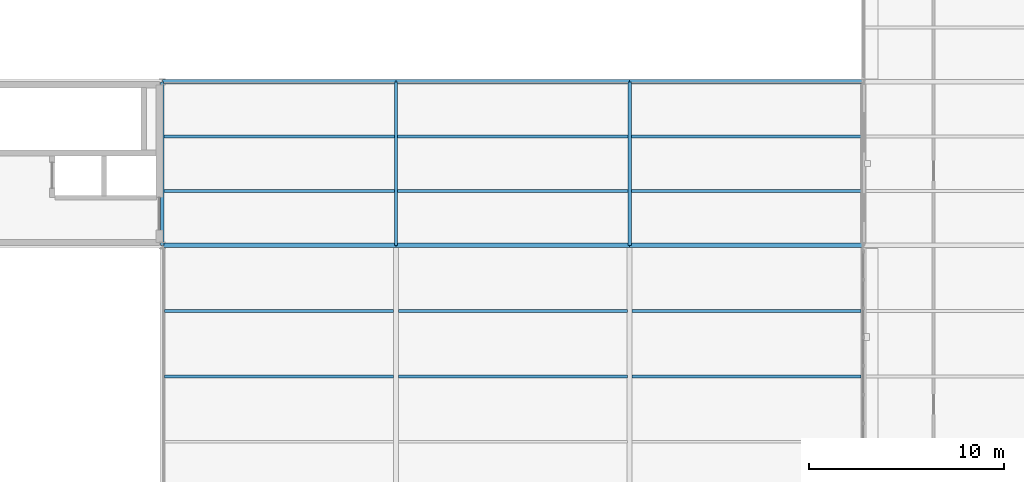
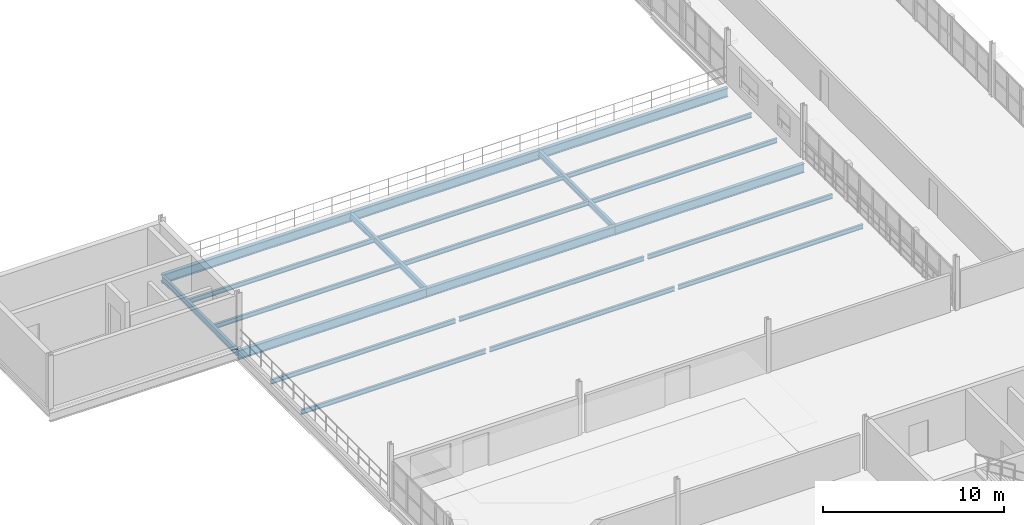
# One storey, part 40 of 74: 21 beams.
"""IFC4 building model written with IfcOpenShell, lengths in metres."""

import ifcopenshell
import ifcopenshell.guid

model = None  # the IFC model being written
_history = None  # IfcOwnerHistory: only IFC2X3 demands one
_inside = {}  # id of a spatial element -> (the spatial element, [elements in it])
_under = {}  # id of a project, library or spatial element -> (it, [spatial elements below it])
_declared = {}  # id of a project -> (the project, [libraries it declares])
_typed = {}  # id of a type object -> (the type object, [elements of that type])
_made_of = {}  # id of a material, layer set ... -> (it, [elements and type objects made of it])


def new_model(schema):
    """Start an empty IFC model of exactly this schema.

    Asked for "IFC4X3", IfcOpenShell would pick the latest addendum, in which some entities
    have other attributes; the version numbers below select the first issue.
    IFC2X3 requires an IfcOwnerHistory on every rooted entity: one is made here for all.
    """
    global model, _history
    if schema == "IFC4X3":
        model = ifcopenshell.file(schema_version=(4, 3, 0, 0))
    else:
        model = ifcopenshell.file(schema=schema)
    _inside.clear()
    _under.clear()
    _declared.clear()
    _typed.clear()
    _made_of.clear()
    _history = None
    if model.schema == "IFC2X3":
        org = make("IfcOrganization", Name="unknown")
        user = make(
            "IfcPersonAndOrganization",
            ThePerson=make("IfcPerson", FamilyName="unknown"),
            TheOrganization=org,
        )
        app = make(
            "IfcApplication",
            ApplicationDeveloper=org,
            Version="unknown",
            ApplicationFullName="unknown",
            ApplicationIdentifier="unknown",
        )
        _history = make(
            "IfcOwnerHistory",
            OwningUser=user,
            OwningApplication=app,
            ChangeAction="ADDED",
            CreationDate=0,
        )
    return model


def make(cls, **values):
    """One entity of the class cls with the attributes given. An attribute that is None is left unset."""
    return model.create_entity(
        cls, **{name: value for name, value in values.items() if value is not None}
    )


def rooted(cls, **values):
    """An entity with a GlobalId (a new one), such as an element, a storey or a relation."""
    return make(cls, GlobalId=ifcopenshell.guid.new(), OwnerHistory=_history, **values)


def si_unit(unit_type, name, prefix=None):
    """IfcSIUnit, for example si_unit("LENGTHUNIT", "METRE", prefix="MILLI")."""
    return make("IfcSIUnit", UnitType=unit_type, Prefix=prefix, Name=name)


def assignment(units):
    """IfcUnitAssignment: the units of a project."""
    return None if units is None else make("IfcUnitAssignment", Units=units)


def point(xyz):
    """IfcCartesianPoint."""
    return None if xyz is None else make("IfcCartesianPoint", Coordinates=xyz)


def direction(xyz):
    """IfcDirection."""
    return None if xyz is None else make("IfcDirection", DirectionRatios=xyz)


def frame(location, z_axis=None, x_axis=None):
    """IfcAxis2Placement3D, a coordinate frame: its origin and axes. An axis left out is left unset."""
    return make(
        "IfcAxis2Placement3D",
        Location=point(location),
        Axis=direction(z_axis),
        RefDirection=direction(x_axis),
    )


def frame_2d(location, x_axis=None):
    """IfcAxis2Placement2D, a coordinate frame in the plane: its origin and x axis."""
    return make(
        "IfcAxis2Placement2D", Location=point(location), RefDirection=direction(x_axis)
    )


def origin():
    """The frame at (0, 0, 0) with its axes left unset."""
    return frame((0.0, 0.0, 0.0))


def origin_2d():
    """The frame at (0, 0) in the plane with its x axis left unset."""
    return frame_2d((0.0, 0.0))


def place(relative_to, where):
    """IfcLocalPlacement: puts the frame where relative to a parent placement (None: the world)."""
    return make(
        "IfcLocalPlacement", PlacementRelTo=relative_to, RelativePlacement=where
    )


def context(
    kind, dimensions, precision=None, world=None, true_north=None, identifier=None
):
    """IfcGeometricRepresentationContext, for example the 3D "Model" context."""
    return make(
        "IfcGeometricRepresentationContext",
        ContextIdentifier=identifier,
        ContextType=kind,
        CoordinateSpaceDimension=dimensions,
        Precision=precision,
        WorldCoordinateSystem=world,
        TrueNorth=true_north,
    )


def subcontext(parent, identifier, kind, view, scale=None):
    """IfcGeometricRepresentationSubContext, for example "Body" below "Model"."""
    return make(
        "IfcGeometricRepresentationSubContext",
        ContextIdentifier=identifier,
        ContextType=kind,
        ParentContext=parent,
        TargetScale=scale,
        TargetView=view,
    )


def project(units=None, contexts=None):
    """IfcProject with its units and contexts."""
    return rooted(
        "IfcProject",
        Name="project",
        RepresentationContexts=contexts,
        UnitsInContext=assignment(units),
    )


def spatial(cls, under=None, at=None, **own):
    """A site, building, storey or space (cls), placed at a placement, below another one or the project."""
    s = rooted(cls, ObjectPlacement=at, **own)
    if under is not None:
        _under.setdefault(under.id(), (under, []))[1].append(s)
    return s


def profile(cls, at=None, kind="AREA", **sizes):
    """A parametric profile (cls). Its sizes go by their IFC names, for example OverallWidth=200.0."""
    return make(cls, ProfileType=kind, Position=at, **sizes)


def i_section(**sizes):
    """IfcIShapeProfileDef."""
    return profile("IfcIShapeProfileDef", **sizes)


def extrude(swept, where, along, depth):
    """IfcExtrudedAreaSolid: the profile swept, set in the frame where, extruded along a direction by depth."""
    return make(
        "IfcExtrudedAreaSolid",
        SweptArea=swept,
        Position=where,
        ExtrudedDirection=direction(along),
        Depth=depth,
    )


def shape(context_of_items, identifier, shape_type, items):
    """IfcShapeRepresentation: the items that make up one representation, for example the "Body"."""
    return make(
        "IfcShapeRepresentation",
        ContextOfItems=context_of_items,
        RepresentationIdentifier=identifier,
        RepresentationType=shape_type,
        Items=items,
    )


def material(Name=None, Category=None):
    """IfcMaterial."""
    return make("IfcMaterial", Name=Name, Category=Category)


def material_profile(
    of_material, cross_section, Name=None, Category=None, Priority=None
):
    """IfcMaterialProfile: a cross section and its material."""
    return make(
        "IfcMaterialProfile",
        Name=Name,
        Material=of_material,
        Profile=cross_section,
        Priority=Priority,
        Category=Category,
    )


def profile_set(profiles, Name=None, composite=None):
    """IfcMaterialProfileSet."""
    return make(
        "IfcMaterialProfileSet",
        Name=Name,
        MaterialProfiles=profiles,
        CompositeProfile=composite,
    )


def made_of(thing, what):
    """Note that an element or type object is made of a material, layer set ...; save() writes the relation."""
    if what is not None:
        _made_of.setdefault(what.id(), (what, []))[1].append(thing)
    return thing


def type_object(cls, material=None, **own):
    """A type object (cls), such as IfcWallType, which elements share."""
    return made_of(rooted(cls, **own), material)


def element(
    cls,
    number,
    at=None,
    inside=None,
    cuts=None,
    type_object=None,
    material=None,
    context=None,
    identifier="Body",
    shape_type=None,
    held_by="IfcProductDefinitionShape",
    body=None,
    shapes=None,
    **own,
):
    """One element of the class cls, such as IfcWall. Its Tag is "e" and its number.

    at: its placement. inside: the storey or other place that contains it. cuts: it is an
    opening in that element (IfcRelVoidsElement). A single representation is given by context,
    identifier, shape_type and body (its items); several are given by shapes. held_by: the class
    of the entity that holds the representations. save() writes the other relations.
    """
    e = rooted(cls, Tag="e%d" % number, ObjectPlacement=at, **own)
    if body is not None:
        shapes = [shape(context, identifier, shape_type, body)]
    if shapes is not None:
        e.Representation = make(held_by, Representations=shapes)
    if inside is not None:
        _inside.setdefault(inside.id(), (inside, []))[1].append(e)
    if cuts is not None:
        rooted(
            "IfcRelVoidsElement", RelatingBuildingElement=cuts, RelatedOpeningElement=e
        )
    if type_object is not None:
        _typed.setdefault(type_object.id(), (type_object, []))[1].append(e)
    return made_of(e, material)


def aggregate(whole, parts):
    """IfcRelAggregates: a whole, such as a stair, and the parts it consists of."""
    return rooted("IfcRelAggregates", RelatingObject=whole, RelatedObjects=parts)


def save(model, path):
    """Write the relations noted so far, then the file.

    IfcRelAggregates (storeys below a building ...), IfcRelContainedInSpatialStructure (elements
    in a storey), IfcRelDefinesByType, IfcRelAssociatesMaterial and IfcRelDeclares: one each for
    every whole, place, type object, material and project.
    """
    for whole, parts in _under.values():
        aggregate(whole, parts)
    for where, things in _inside.values():
        rooted(
            "IfcRelContainedInSpatialStructure",
            RelatedElements=things,
            RelatingStructure=where,
        )
    for kind, things in _typed.values():
        rooted("IfcRelDefinesByType", RelatedObjects=things, RelatingType=kind)
    for what, things in _made_of.values():
        rooted("IfcRelAssociatesMaterial", RelatedObjects=things, RelatingMaterial=what)
    for by, libraries in _declared.values():
        rooted("IfcRelDeclares", RelatingContext=by, RelatedDefinitions=libraries)
    model.write(path)


model = new_model("IFC4")

# Units and contexts
model_context = context("Model", 3, precision=1e-05, world=origin(), true_north=direction((0.0, 1.0)))
body_context = subcontext(model_context, "Body", "Model", "MODEL_VIEW")
ifc_project = project(units=[si_unit("LENGTHUNIT", "METRE"), si_unit("AREAUNIT", "SQUARE_METRE"), si_unit("VOLUMEUNIT", "CUBIC_METRE"), si_unit("PLANEANGLEUNIT", "RADIAN"), si_unit("MASSUNIT", "GRAM", prefix="KILO"), si_unit("THERMODYNAMICTEMPERATUREUNIT", "KELVIN"), si_unit("POWERUNIT", "WATT")], contexts=[model_context])

# Site, building, storey
site_placement = place(None, origin())
site = spatial("IfcSite", under=ifc_project, at=site_placement, CompositionType="ELEMENT")
building_placement = place(site_placement, origin())
building = spatial("IfcBuilding", under=site, at=building_placement, Name="Tembeka Court Mobility Hub", CompositionType="ELEMENT")
storey_placement = place(building_placement, frame((0.0, 0.0, 12.60009765625)))
storey = spatial("IfcBuildingStorey", under=building, at=storey_placement, Name="L03", CompositionType="ELEMENT", Elevation=12.60009765625)

# Beams
ifc_material = material(Name="Steel S355", Category="steel")
ifc_material_profile_1 = material_profile(ifc_material, i_section(OverallWidth=0.177978515625, OverallDepth=0.406005859375, WebThickness=0.0078125, FlangeThickness=0.0126953125, FilletRadius=0.01025390625, at=origin_2d()), Name="UKB 406x178x60")
ifc_profile_set_1 = profile_set([ifc_material_profile_1], Name="Steel S355")
beam_type_1 = type_object("IfcBeamType", Name="BM-B02", PredefinedType="BEAM", material=ifc_profile_set_1)
for number, where, z_axis, x_axis, name in (
    (1, (128.39990234375, 38.39990234375, -0.523193359375), (0.0, 1.0, 0.0), (-1.0, 0.0, 0.0), "Beam B02 (BM-L03-Y1925)"),
    (2, (140.39990234375, 38.39990234375, -0.523193359375), (0.0, 1.0, 0.0), (-1.0, 0.0, 0.0), "Beam B02 (BM-L03-Y1929)"),
    (3, (152.39990234375, 38.39990234375, -0.523193359375), (0.0, 1.0, 0.0), (-1.0, 0.0, 0.0), "Beam B02 (BM-L03-Y1933)"),
):
    element("IfcBeam", number, at=place(storey_placement, frame(where, z_axis=z_axis, x_axis=x_axis)), inside=storey, type_object=beam_type_1, Name=name, PredefinedType="BEAM", context=body_context, shape_type="SweptSolid", body=[
        extrude(i_section(OverallWidth=0.177978515625, OverallDepth=0.406005859375, WebThickness=0.0078125, FlangeThickness=0.0126953125, FilletRadius=0.01025390625, at=origin_2d()), origin(), (0.0, 0.0, 1.0), 8.400146484375),
    ])
ifc_material_profile_2 = material_profile(ifc_material, i_section(OverallWidth=0.22900390625, OverallDepth=0.612060546875, WebThickness=0.011962890625, FlangeThickness=0.01953125, FilletRadius=0.0126953125, at=origin_2d()), Name="UKB 610x229x125")
ifc_profile_set_2 = profile_set([ifc_material_profile_2], Name="Steel S355")
beam_type_2 = type_object("IfcBeamType", Name="BM-G02", PredefinedType="USERDEFINED", material=ifc_profile_set_2)
for number, where, z_axis, x_axis, name in (
    (4, (128.39990234375, 38.39990234375, -0.6259765625), (1.0, 0.0, 0.0), (0.0, 1.0, 0.0), "Beam G02 (BM-L03-X1730)"),
    (5, (140.39990234375, 38.39990234375, -0.6259765625), (1.0, 0.0, 0.0), (0.0, 1.0, 0.0), "Beam G02 (BM-L03-X1731)"),
    (6, (152.39990234375, 38.39990234375, -0.6259765625), (1.0, 0.0, 0.0), (0.0, 1.0, 0.0), "Beam G02 (BM-L03-X1732)"),
    (7, (128.39990234375, 46.800048828125, -0.6259765625), (1.0, 0.0, 0.0), (0.0, 1.0, 0.0), "Beam G02 (BM-L03-X1744)"),
    (8, (140.39990234375, 46.800048828125, -0.6259765625), (1.0, 0.0, 0.0), (0.0, 1.0, 0.0), "Beam G02 (BM-L03-X1745)"),
    (9, (152.39990234375, 46.800048828125, -0.6259765625), (1.0, 0.0, 0.0), (0.0, 1.0, 0.0), "Beam G02 (BM-L03-X1746)"),
):
    element("IfcBeam", number, at=place(storey_placement, frame(where, z_axis=z_axis, x_axis=x_axis)), inside=storey, type_object=beam_type_2, Name=name, ObjectType="GIRDER", PredefinedType="USERDEFINED", context=body_context, shape_type="SweptSolid", body=[
        extrude(i_section(OverallWidth=0.22900390625, OverallDepth=0.612060546875, WebThickness=0.011962890625, FlangeThickness=0.01953125, FilletRadius=0.0126953125, at=origin_2d()), origin(), (0.0, 0.0, 1.0), 12.0),
    ])
ifc_material_profile_3 = material_profile(ifc_material, i_section(OverallWidth=0.14990234375, OverallDepth=0.300048828125, WebThickness=0.007080078125, FlangeThickness=0.0107421875, FilletRadius=0.014892578125, at=origin_2d()), Name="IPE 300")
ifc_profile_set_3 = profile_set([ifc_material_profile_3], Name="Steel S355")
beam_type_3 = type_object("IfcBeamType", Name="BM-J04", PredefinedType="JOIST", material=ifc_profile_set_3)
for number, where, z_axis, x_axis, name in (
    (10, (128.52197265625, 31.679931640625, -0.47021484375), (1.0, 0.0, 0.0), (0.0, 1.0, 0.0), "Beam J04 (JST-L03-2148)"),
    (11, (128.52197265625, 35.0400390625, -0.47021484375), (1.0, 0.0, 0.0), (0.0, 1.0, 0.0), "Beam J04 (JST-L03-2149)"),
):
    element("IfcBeam", number, at=place(storey_placement, frame(where, z_axis=z_axis, x_axis=x_axis)), inside=storey, type_object=beam_type_3, Name=name, PredefinedType="JOIST", context=body_context, shape_type="SweptSolid", body=[
        extrude(i_section(OverallWidth=0.14990234375, OverallDepth=0.300048828125, WebThickness=0.007080078125, FlangeThickness=0.0107421875, FilletRadius=0.014892578125, at=origin_2d()), origin(), (0.0, 0.0, 1.0), 11.756103515625),
    ])
for number, where, z_axis, x_axis, name in (
    (12, (128.48388671875, 41.199951171875, -0.47021484375), (1.0, 0.0, 0.0), (0.0, 1.0, 0.0), "Beam J04 (JST-L03-2150)"),
    (13, (128.48388671875, 44.0, -0.47021484375), (1.0, 0.0, 0.0), (0.0, 1.0, 0.0), "Beam J04 (JST-L03-2151)"),
):
    element("IfcBeam", number, at=place(storey_placement, frame(where, z_axis=z_axis, x_axis=x_axis)), inside=storey, type_object=beam_type_3, Name=name, PredefinedType="JOIST", context=body_context, shape_type="SweptSolid", body=[
        extrude(i_section(OverallWidth=0.14990234375, OverallDepth=0.300048828125, WebThickness=0.007080078125, FlangeThickness=0.0107421875, FilletRadius=0.014892578125, at=origin_2d()), origin(), (0.0, 0.0, 1.0), 11.83203125),
    ])
for number, where, z_axis, x_axis, name in (
    (14, (140.52197265625, 31.679931640625, -0.47021484375), (1.0, 0.0, 0.0), (0.0, 1.0, 0.0), "Beam J04 (JST-L03-2158)"),
    (15, (140.52197265625, 35.0400390625, -0.47021484375), (1.0, 0.0, 0.0), (0.0, 1.0, 0.0), "Beam J04 (JST-L03-2159)"),
):
    element("IfcBeam", number, at=place(storey_placement, frame(where, z_axis=z_axis, x_axis=x_axis)), inside=storey, type_object=beam_type_3, Name=name, PredefinedType="JOIST", context=body_context, shape_type="SweptSolid", body=[
        extrude(i_section(OverallWidth=0.14990234375, OverallDepth=0.300048828125, WebThickness=0.007080078125, FlangeThickness=0.0107421875, FilletRadius=0.014892578125, at=origin_2d()), origin(), (0.0, 0.0, 1.0), 11.756103515625),
    ])
for number, where, z_axis, x_axis, name in (
    (16, (140.48388671875, 41.199951171875, -0.47021484375), (1.0, 0.0, 0.0), (0.0, 1.0, 0.0), "Beam J04 (JST-L03-2160)"),
    (17, (140.48388671875, 44.0, -0.47021484375), (1.0, 0.0, 0.0), (0.0, 1.0, 0.0), "Beam J04 (JST-L03-2161)"),
):
    element("IfcBeam", number, at=place(storey_placement, frame(where, z_axis=z_axis, x_axis=x_axis)), inside=storey, type_object=beam_type_3, Name=name, PredefinedType="JOIST", context=body_context, shape_type="SweptSolid", body=[
        extrude(i_section(OverallWidth=0.14990234375, OverallDepth=0.300048828125, WebThickness=0.007080078125, FlangeThickness=0.0107421875, FilletRadius=0.014892578125, at=origin_2d()), origin(), (0.0, 0.0, 1.0), 11.83203125),
    ])
for number, where, z_axis, x_axis, name in (
    (18, (152.52197265625, 31.679931640625, -0.47021484375), (1.0, 0.0, 0.0), (0.0, 1.0, 0.0), "Beam J04 (JST-L03-2167)"),
    (19, (152.52197265625, 35.0400390625, -0.47021484375), (1.0, 0.0, 0.0), (0.0, 1.0, 0.0), "Beam J04 (JST-L03-2168)"),
):
    element("IfcBeam", number, at=place(storey_placement, frame(where, z_axis=z_axis, x_axis=x_axis)), inside=storey, type_object=beam_type_3, Name=name, PredefinedType="JOIST", context=body_context, shape_type="SweptSolid", body=[
        extrude(i_section(OverallWidth=0.14990234375, OverallDepth=0.300048828125, WebThickness=0.007080078125, FlangeThickness=0.0107421875, FilletRadius=0.014892578125, at=origin_2d()), origin(), (0.0, 0.0, 1.0), 11.756103515625),
    ])
for number, where, z_axis, x_axis, name in (
    (20, (152.48388671875, 41.199951171875, -0.47021484375), (1.0, 0.0, 0.0), (0.0, 1.0, 0.0), "Beam J04 (JST-L03-2169)"),
    (21, (152.48388671875, 44.0, -0.47021484375), (1.0, 0.0, 0.0), (0.0, 1.0, 0.0), "Beam J04 (JST-L03-2170)"),
):
    element("IfcBeam", number, at=place(storey_placement, frame(where, z_axis=z_axis, x_axis=x_axis)), inside=storey, type_object=beam_type_3, Name=name, PredefinedType="JOIST", context=body_context, shape_type="SweptSolid", body=[
        extrude(i_section(OverallWidth=0.14990234375, OverallDepth=0.300048828125, WebThickness=0.007080078125, FlangeThickness=0.0107421875, FilletRadius=0.014892578125, at=origin_2d()), origin(), (0.0, 0.0, 1.0), 11.83203125),
    ])

save(model, "model.ifc")
